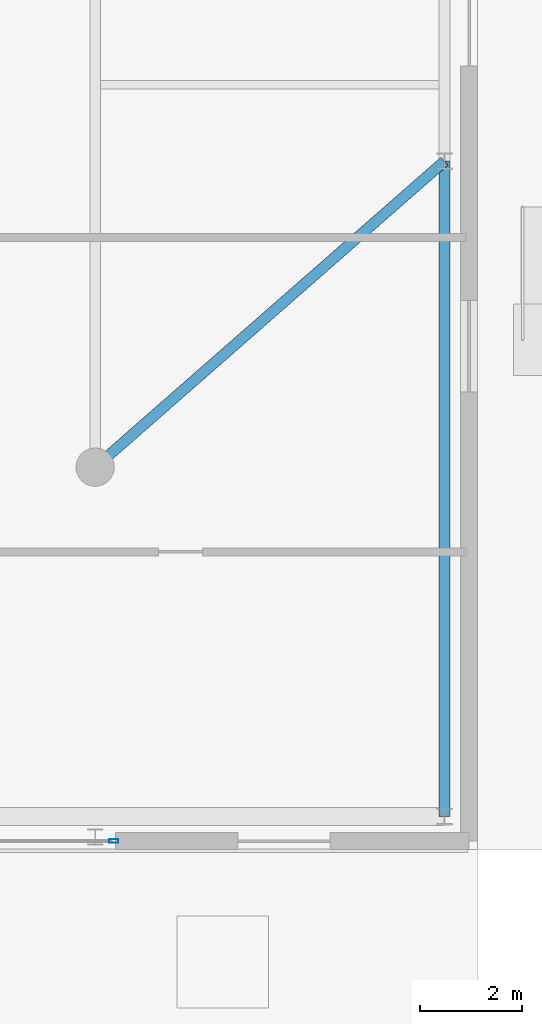
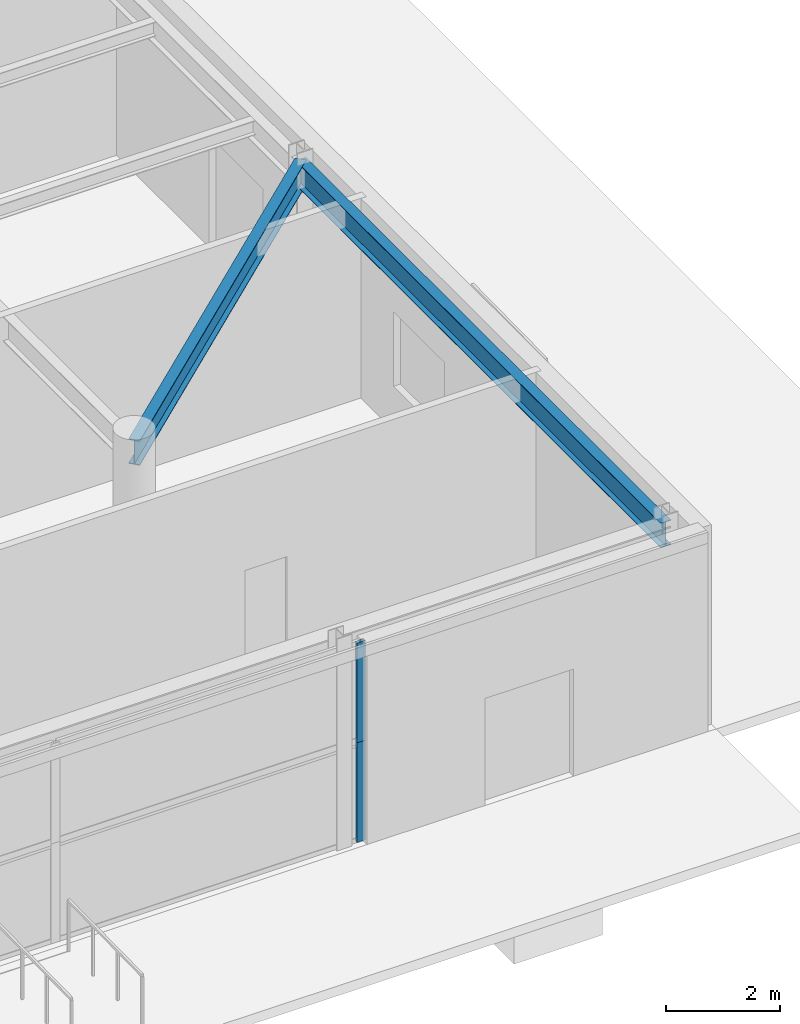
# One storey, part 17 of 29: 2 beams, 2 members, 2 elements without a shape of their own.
"""IFC4 building model written with IfcOpenShell, lengths in metres."""

import ifcopenshell
import ifcopenshell.guid

model = None  # the IFC model being written
_history = None  # IfcOwnerHistory: only IFC2X3 demands one
_inside = {}  # id of a spatial element -> (the spatial element, [elements in it])
_under = {}  # id of a project, library or spatial element -> (it, [spatial elements below it])
_declared = {}  # id of a project -> (the project, [libraries it declares])
_typed = {}  # id of a type object -> (the type object, [elements of that type])
_made_of = {}  # id of a material, layer set ... -> (it, [elements and type objects made of it])


def new_model(schema):
    """Start an empty IFC model of exactly this schema.

    Asked for "IFC4X3", IfcOpenShell would pick the latest addendum, in which some entities
    have other attributes; the version numbers below select the first issue.
    IFC2X3 requires an IfcOwnerHistory on every rooted entity: one is made here for all.
    """
    global model, _history
    if schema == "IFC4X3":
        model = ifcopenshell.file(schema_version=(4, 3, 0, 0))
    else:
        model = ifcopenshell.file(schema=schema)
    _inside.clear()
    _under.clear()
    _declared.clear()
    _typed.clear()
    _made_of.clear()
    _history = None
    if model.schema == "IFC2X3":
        org = make("IfcOrganization", Name="unknown")
        user = make(
            "IfcPersonAndOrganization",
            ThePerson=make("IfcPerson", FamilyName="unknown"),
            TheOrganization=org,
        )
        app = make(
            "IfcApplication",
            ApplicationDeveloper=org,
            Version="unknown",
            ApplicationFullName="unknown",
            ApplicationIdentifier="unknown",
        )
        _history = make(
            "IfcOwnerHistory",
            OwningUser=user,
            OwningApplication=app,
            ChangeAction="ADDED",
            CreationDate=0,
        )
    return model


def make(cls, **values):
    """One entity of the class cls with the attributes given. An attribute that is None is left unset."""
    return model.create_entity(
        cls, **{name: value for name, value in values.items() if value is not None}
    )


def rooted(cls, **values):
    """An entity with a GlobalId (a new one), such as an element, a storey or a relation."""
    return make(cls, GlobalId=ifcopenshell.guid.new(), OwnerHistory=_history, **values)


def si_unit(unit_type, name, prefix=None):
    """IfcSIUnit, for example si_unit("LENGTHUNIT", "METRE", prefix="MILLI")."""
    return make("IfcSIUnit", UnitType=unit_type, Prefix=prefix, Name=name)


def assignment(units):
    """IfcUnitAssignment: the units of a project."""
    return None if units is None else make("IfcUnitAssignment", Units=units)


def point(xyz):
    """IfcCartesianPoint."""
    return None if xyz is None else make("IfcCartesianPoint", Coordinates=xyz)


def direction(xyz):
    """IfcDirection."""
    return None if xyz is None else make("IfcDirection", DirectionRatios=xyz)


def frame(location, z_axis=None, x_axis=None):
    """IfcAxis2Placement3D, a coordinate frame: its origin and axes. An axis left out is left unset."""
    return make(
        "IfcAxis2Placement3D",
        Location=point(location),
        Axis=direction(z_axis),
        RefDirection=direction(x_axis),
    )


def frame_2d(location, x_axis=None):
    """IfcAxis2Placement2D, a coordinate frame in the plane: its origin and x axis."""
    return make(
        "IfcAxis2Placement2D", Location=point(location), RefDirection=direction(x_axis)
    )


def origin():
    """The frame at (0, 0, 0) with its axes left unset."""
    return frame((0.0, 0.0, 0.0))


def origin_2d():
    """The frame at (0, 0) in the plane with its x axis left unset."""
    return frame_2d((0.0, 0.0))


def place(relative_to, where):
    """IfcLocalPlacement: puts the frame where relative to a parent placement (None: the world)."""
    return make(
        "IfcLocalPlacement", PlacementRelTo=relative_to, RelativePlacement=where
    )


def context(
    kind, dimensions, precision=None, world=None, true_north=None, identifier=None
):
    """IfcGeometricRepresentationContext, for example the 3D "Model" context."""
    return make(
        "IfcGeometricRepresentationContext",
        ContextIdentifier=identifier,
        ContextType=kind,
        CoordinateSpaceDimension=dimensions,
        Precision=precision,
        WorldCoordinateSystem=world,
        TrueNorth=true_north,
    )


def subcontext(parent, identifier, kind, view, scale=None):
    """IfcGeometricRepresentationSubContext, for example "Body" below "Model"."""
    return make(
        "IfcGeometricRepresentationSubContext",
        ContextIdentifier=identifier,
        ContextType=kind,
        ParentContext=parent,
        TargetScale=scale,
        TargetView=view,
    )


def project(units=None, contexts=None):
    """IfcProject with its units and contexts."""
    return rooted(
        "IfcProject",
        Name="project",
        RepresentationContexts=contexts,
        UnitsInContext=assignment(units),
    )


def spatial(cls, under=None, at=None, **own):
    """A site, building, storey or space (cls), placed at a placement, below another one or the project."""
    s = rooted(cls, ObjectPlacement=at, **own)
    if under is not None:
        _under.setdefault(under.id(), (under, []))[1].append(s)
    return s


def profile(cls, at=None, kind="AREA", **sizes):
    """A parametric profile (cls). Its sizes go by their IFC names, for example OverallWidth=200.0."""
    return make(cls, ProfileType=kind, Position=at, **sizes)


def hollow_rectangle(**sizes):
    """IfcRectangleHollowProfileDef."""
    return profile("IfcRectangleHollowProfileDef", **sizes)


def i_section(**sizes):
    """IfcIShapeProfileDef."""
    return profile("IfcIShapeProfileDef", **sizes)


def extrude(swept, where, along, depth):
    """IfcExtrudedAreaSolid: the profile swept, set in the frame where, extruded along a direction by depth."""
    return make(
        "IfcExtrudedAreaSolid",
        SweptArea=swept,
        Position=where,
        ExtrudedDirection=direction(along),
        Depth=depth,
    )


def shape(context_of_items, identifier, shape_type, items):
    """IfcShapeRepresentation: the items that make up one representation, for example the "Body"."""
    return make(
        "IfcShapeRepresentation",
        ContextOfItems=context_of_items,
        RepresentationIdentifier=identifier,
        RepresentationType=shape_type,
        Items=items,
    )


def source(mapping_origin, context_of_items, identifier, shape_type, items):
    """IfcRepresentationMap: a shape defined once, which mapped items show again and again."""
    return make(
        "IfcRepresentationMap",
        MappingOrigin=mapping_origin,
        MappedRepresentation=shape(context_of_items, identifier, shape_type, items),
    )


def transform(
    local_origin,
    x_axis=None,
    y_axis=None,
    z_axis=None,
    scale=None,
    scale2=None,
    scale3=None,
    uniform=True,
):
    """IfcCartesianTransformationOperator3D, or its non-uniform kind. x_axis, y_axis, z_axis: its Axis1, 2, 3."""
    if uniform:
        return make(
            "IfcCartesianTransformationOperator3D",
            Axis1=direction(x_axis),
            Axis2=direction(y_axis),
            LocalOrigin=point(local_origin),
            Scale=scale,
            Axis3=direction(z_axis),
        )
    return make(
        "IfcCartesianTransformationOperator3DnonUniform",
        Axis1=direction(x_axis),
        Axis2=direction(y_axis),
        LocalOrigin=point(local_origin),
        Scale=scale,
        Axis3=direction(z_axis),
        Scale2=scale2,
        Scale3=scale3,
    )


def mapped(mapping_source, mapping_target):
    """IfcMappedItem: shows the shape of a source again, moved by a transform."""
    return make(
        "IfcMappedItem", MappingSource=mapping_source, MappingTarget=mapping_target
    )


def material(Name=None, Category=None):
    """IfcMaterial."""
    return make("IfcMaterial", Name=Name, Category=Category)


def layer(
    of_material, thickness, ventilated=None, Name=None, Category=None, Priority=None
):
    """IfcMaterialLayer: one layer of a wall or slab, of a material (None: an air gap)."""
    return make(
        "IfcMaterialLayer",
        Material=of_material,
        LayerThickness=thickness,
        IsVentilated=ventilated,
        Name=Name,
        Category=Category,
        Priority=Priority,
    )


def layer_set(layers, Name=None):
    """IfcMaterialLayerSet."""
    return make("IfcMaterialLayerSet", MaterialLayers=layers, LayerSetName=Name)


def material_profile(
    of_material, cross_section, Name=None, Category=None, Priority=None
):
    """IfcMaterialProfile: a cross section and its material."""
    return make(
        "IfcMaterialProfile",
        Name=Name,
        Material=of_material,
        Profile=cross_section,
        Priority=Priority,
        Category=Category,
    )


def profile_set(profiles, Name=None, composite=None):
    """IfcMaterialProfileSet."""
    return make(
        "IfcMaterialProfileSet",
        Name=Name,
        MaterialProfiles=profiles,
        CompositeProfile=composite,
    )


def made_of(thing, what):
    """Note that an element or type object is made of a material, layer set ...; save() writes the relation."""
    if what is not None:
        _made_of.setdefault(what.id(), (what, []))[1].append(thing)
    return thing


def type_object(cls, material=None, **own):
    """A type object (cls), such as IfcWallType, which elements share."""
    return made_of(rooted(cls, **own), material)


def element(
    cls,
    number,
    at=None,
    inside=None,
    cuts=None,
    type_object=None,
    material=None,
    context=None,
    identifier="Body",
    shape_type=None,
    held_by="IfcProductDefinitionShape",
    body=None,
    shapes=None,
    **own,
):
    """One element of the class cls, such as IfcWall. Its Tag is "e" and its number.

    at: its placement. inside: the storey or other place that contains it. cuts: it is an
    opening in that element (IfcRelVoidsElement). A single representation is given by context,
    identifier, shape_type and body (its items); several are given by shapes. held_by: the class
    of the entity that holds the representations. save() writes the other relations.
    """
    e = rooted(cls, Tag="e%d" % number, ObjectPlacement=at, **own)
    if body is not None:
        shapes = [shape(context, identifier, shape_type, body)]
    if shapes is not None:
        e.Representation = make(held_by, Representations=shapes)
    if inside is not None:
        _inside.setdefault(inside.id(), (inside, []))[1].append(e)
    if cuts is not None:
        rooted(
            "IfcRelVoidsElement", RelatingBuildingElement=cuts, RelatedOpeningElement=e
        )
    if type_object is not None:
        _typed.setdefault(type_object.id(), (type_object, []))[1].append(e)
    return made_of(e, material)


def aggregate(whole, parts):
    """IfcRelAggregates: a whole, such as a stair, and the parts it consists of."""
    return rooted("IfcRelAggregates", RelatingObject=whole, RelatedObjects=parts)


def save(model, path):
    """Write the relations noted so far, then the file.

    IfcRelAggregates (storeys below a building ...), IfcRelContainedInSpatialStructure (elements
    in a storey), IfcRelDefinesByType, IfcRelAssociatesMaterial and IfcRelDeclares: one each for
    every whole, place, type object, material and project.
    """
    for whole, parts in _under.values():
        aggregate(whole, parts)
    for where, things in _inside.values():
        rooted(
            "IfcRelContainedInSpatialStructure",
            RelatedElements=things,
            RelatingStructure=where,
        )
    for kind, things in _typed.values():
        rooted("IfcRelDefinesByType", RelatedObjects=things, RelatingType=kind)
    for what, things in _made_of.values():
        rooted("IfcRelAssociatesMaterial", RelatedObjects=things, RelatingMaterial=what)
    for by, libraries in _declared.values():
        rooted("IfcRelDeclares", RelatingContext=by, RelatedDefinitions=libraries)
    model.write(path)


model = new_model("IFC4")

# Units and contexts
model_context = context("Model", 3, precision=1e-05, world=origin(), true_north=direction((0.0, 1.0)))
body_context = subcontext(model_context, "Body", "Model", "MODEL_VIEW")
ifc_project = project(units=[si_unit("LENGTHUNIT", "METRE"), si_unit("AREAUNIT", "SQUARE_METRE"), si_unit("VOLUMEUNIT", "CUBIC_METRE"), si_unit("PLANEANGLEUNIT", "RADIAN"), si_unit("MASSUNIT", "GRAM", prefix="KILO")], contexts=[model_context])

# Site, building, storey
site_placement = place(None, origin())
site = spatial("IfcSite", under=ifc_project, at=site_placement, CompositionType="ELEMENT")
building_placement = place(site_placement, origin())
building = spatial("IfcBuilding", under=site, at=building_placement, Name="Taldren Reach Tower", CompositionType="ELEMENT")
storey_placement = place(building_placement, origin())
storey = spatial("IfcBuildingStorey", under=building, at=storey_placement, Name="L00", CompositionType="ELEMENT", Elevation=0.0)

# Beams
ifc_material_1 = material(Name="Steel Gr 350 (350PLUS)", Category="steel")
ifc_material_profile_1 = material_profile(ifc_material_1, i_section(OverallWidth=0.208984375, OverallDepth=0.528076171875, WebThickness=0.009521484375, FlangeThickness=0.01318359375, at=origin_2d()), Name="530UB82.0")
ifc_profile_set_1 = profile_set([ifc_material_profile_1], Name="Steel Gr 350 (350PLUS)")
beam_type_1 = type_object("IfcBeamType", Name="SP-UB530B", PredefinedType="SPANDREL", material=ifc_profile_set_1)
shared_shape_1 = source(origin(), body_context, "Body", "SweptSolid", [
    extrude(i_section(OverallWidth=0.208984375, OverallDepth=0.528076171875, WebThickness=0.009521484375, FlangeThickness=0.01318359375, at=origin_2d()), origin(), (0.0, 0.0, 1.0), 12.85009765625),
])
beam_1_placement = place(storey_placement, frame((69.35009765625, 0.64990234375, 4.02587890625), z_axis=(0.0, 1.0, 0.0), x_axis=(-1.0, 0.0, 0.0)))
element("IfcBeam", 1, at=beam_1_placement, inside=storey, type_object=beam_type_1, Name="Podium beam L00-PD15", PredefinedType="SPANDREL", context=body_context, shape_type="MappedRepresentation", body=[
    mapped(shared_shape_1, transform((0.0, 0.0, 0.0), scale=1.0)),
])
ifc_material_profile_2 = material_profile(ifc_material_1, i_section(OverallWidth=0.208984375, OverallDepth=0.532958984375, WebThickness=0.01025390625, FlangeThickness=0.015625, at=origin_2d()), Name="530UB92.4")
ifc_profile_set_2 = profile_set([ifc_material_profile_2], Name="Steel Gr 350 (350PLUS)")
beam_type_2 = type_object("IfcBeamType", Name="BM-UB530A", PredefinedType="BEAM", material=ifc_profile_set_2)
shared_shape_2 = source(origin(), body_context, "Body", "SweptSolid", [
    extrude(i_section(OverallWidth=0.208984375, OverallDepth=0.532958984375, WebThickness=0.01025390625, FlangeThickness=0.015625, at=origin_2d()), origin(), (0.0, 0.0, 1.0), 9.106201171875),
])
beam_2_placement = place(storey_placement, frame((69.35009765625, 13.5, 4.0234375), z_axis=(-0.75224111342, -0.658887932262, 0.0), x_axis=(0.658887932262, -0.75224111342, 0.0)))
element("IfcBeam", 2, at=beam_2_placement, inside=storey, type_object=beam_type_2, Name="Podium beam L00-PD26", PredefinedType="BEAM", context=body_context, shape_type="MappedRepresentation", body=[
    mapped(shared_shape_2, transform((0.0, 0.0, 0.0), scale=1.0)),
])

# Curtain wall, member
ifc_material_2 = material(Name="Aluminium and Low-E Glass Unitised System", Category="aluminium")
ifc_layer = layer(ifc_material_2, 0.159912109375)
ifc_layer_set = layer_set([ifc_layer], Name="Aluminium and Low-E Glass Unitised System")
curtain_wall_type = type_object("IfcCurtainWallType", Name="CW-SYS-1", PredefinedType="NOTDEFINED", material=ifc_layer_set)
curtain_wall_1_placement = place(storey_placement, origin())
curtain_wall_1 = element("IfcCurtainWall", 3, at=curtain_wall_1_placement, inside=storey, type_object=curtain_wall_type, Name="Unitised curtain wall CW1-L00-S3", PredefinedType="NOTDEFINED")
ifc_material_3 = material(Name="Anodised Aluminium 6063-T6", Category="aluminium")
ifc_material_profile_3 = material_profile(ifc_material_3, hollow_rectangle(XDim=0.070068359375, YDim=0.179931640625, WallThickness=0.00390625, at=origin_2d()), Name="ALU-180x70x4RHS")
ifc_profile_set_3 = profile_set([ifc_material_profile_3], Name="Anodised Aluminium 6063-T6")
member_type = type_object("IfcMemberType", Name="CW-MUL-180", PredefinedType="MULLION", material=ifc_profile_set_3)
shared_shape_3 = source(origin(), body_context, "Body", "SweptSolid", [
    extrude(hollow_rectangle(XDim=0.070068359375, YDim=0.179931640625, WallThickness=0.00390625, at=origin_2d()), origin(), (0.0, 0.0, 1.0), 2.14501953125),
])
member_1_placement = place(storey_placement, frame((62.864990234375, 0.169921875, 0.0), z_axis=(0.0, 0.0, 1.0), x_axis=(0.0, 1.0, 0.0)))
member_1 = element("IfcMember", 4, at=member_1_placement, type_object=member_type, Name="CW-1 mullion 3", PredefinedType="MULLION", context=body_context, shape_type="MappedRepresentation", body=[
    mapped(shared_shape_3, transform((0.0, 0.0, 0.0), scale=1.0)),
])
aggregate(curtain_wall_1, [member_1])

curtain_wall_2_placement = place(storey_placement, origin())
curtain_wall_2 = element("IfcCurtainWall", 5, at=curtain_wall_2_placement, inside=storey, type_object=curtain_wall_type, Name="Unitised curtain wall CW1-L00-S3-T2", PredefinedType="NOTDEFINED")
member_2_placement = place(storey_placement, frame((62.864990234375, 0.169921875, 2.14501953125), z_axis=(0.0, 0.0, 1.0), x_axis=(0.0, 1.0, 0.0)))
member_2 = element("IfcMember", 6, at=member_2_placement, type_object=member_type, Name="CW-1 mullion 3", PredefinedType="MULLION", context=body_context, shape_type="MappedRepresentation", body=[
    mapped(shared_shape_3, transform((0.0, 0.0, 0.0), scale=1.0)),
])
aggregate(curtain_wall_2, [member_2])

save(model, "model.ifc")
